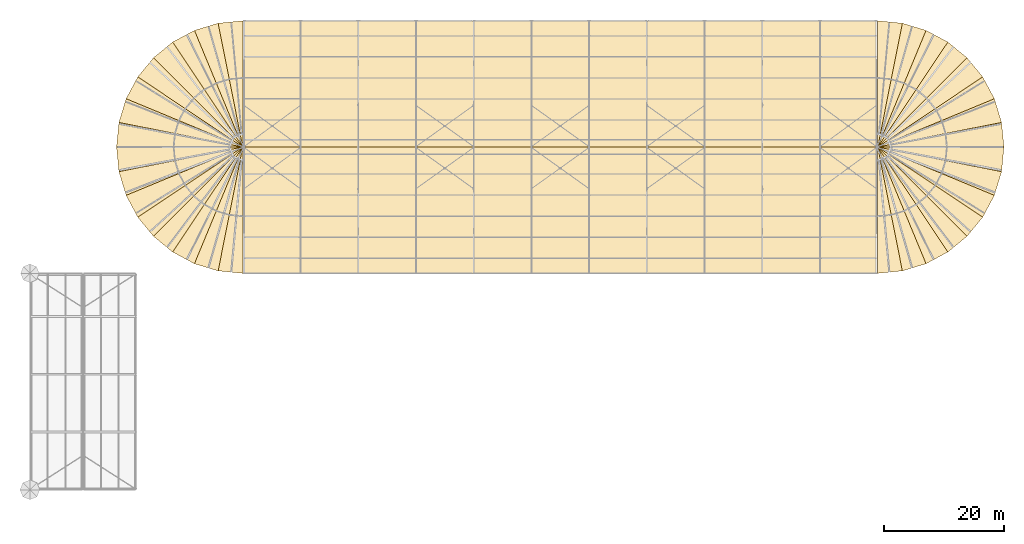
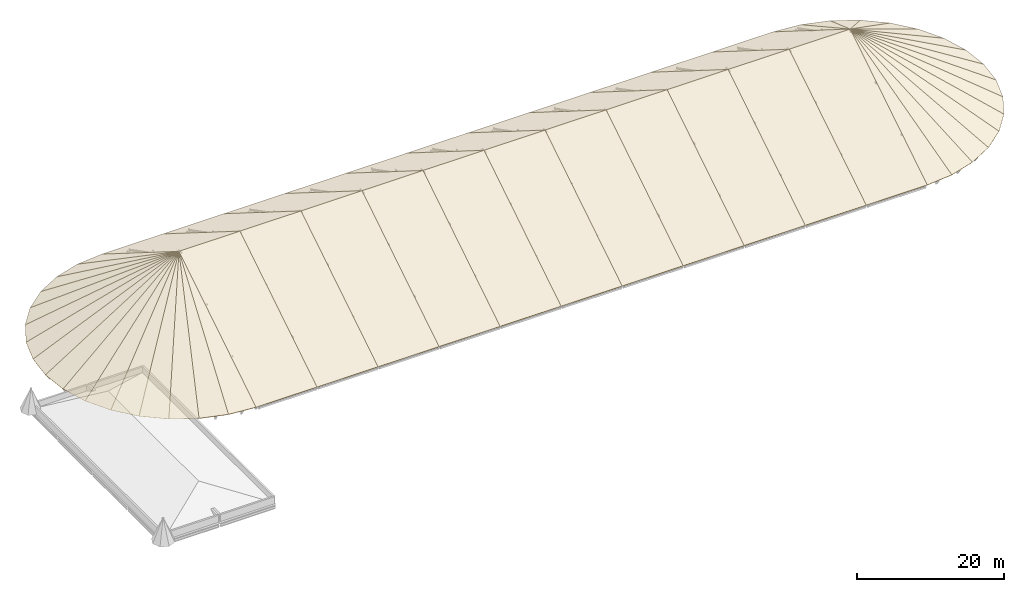
# One storey, part 66 of 66: 54 coverings.
"""IFC4 building model written with IfcOpenShell, lengths in metres."""

from ifc_helpers import new_model, si_unit, direction, frame, origin, place, context, subcontext, project, spatial, polyline, outline, extrude, material, layer, layer_set, type_object, element, save


model = new_model("IFC4")

# Units and contexts
model_context = context("Model", 3, precision=1e-05, world=origin(), true_north=direction((0.0, 1.0)))
body_context = subcontext(model_context, "Body", "Model", "MODEL_VIEW")
ifc_project = project(units=[si_unit("LENGTHUNIT", "METRE"), si_unit("AREAUNIT", "SQUARE_METRE"), si_unit("VOLUMEUNIT", "CUBIC_METRE"), si_unit("PLANEANGLEUNIT", "RADIAN"), si_unit("MASSUNIT", "GRAM", prefix="KILO")], contexts=[model_context])

# Site, building, storey
site_placement = place(None, origin())
site = spatial("IfcSite", under=ifc_project, at=site_placement, CompositionType="ELEMENT")
building_placement = place(site_placement, origin())
building = spatial("IfcBuilding", under=site, at=building_placement, Name="Yeouljin Market Hall", CompositionType="ELEMENT")
storey_placement = place(building_placement, frame((0.0, 0.0, 23.39990234375)))
storey = spatial("IfcBuildingStorey", under=building, at=storey_placement, Name="RF", CompositionType="ELEMENT", Elevation=23.39990234375)

# Coverings
ifc_material = material(Name="Patinated Copper Standing Seam")
ifc_layer = layer(ifc_material, 0.0400390625)
ifc_layer_set = layer_set([ifc_layer], Name="Patinated Copper Standing Seam")
covering_type = type_object("IfcCoveringType", Name="Covering_Copper_StandingSeam", PredefinedType="ROOFING", material=ifc_layer_set)
for number, where, z_axis, x_axis, name in (
    (1, (35.39990234375, 36.0, -12.0498046875), (0.0, -0.532170134168, 0.846637436155), (1.0, 0.0, 0.0), "Standing-seam copper roofing S01"),
    (2, (45.0, 78.0, -12.0498046875), (0.0, 0.532170134168, 0.846637436155), (-1.0, 0.0, 0.0), "Standing-seam copper roofing N01"),
    (3, (45.0, 36.0, -12.0498046875), (0.0, -0.532170134168, 0.846637436155), (1.0, 0.0, 0.0), "Standing-seam copper roofing S02"),
    (4, (54.60009765625, 78.0, -12.0498046875), (0.0, 0.532170134168, 0.846637436155), (-1.0, 0.0, 0.0), "Standing-seam copper roofing N02"),
):
    element("IfcCovering", number, at=place(storey_placement, frame(where, z_axis=z_axis, x_axis=x_axis)), inside=storey, type_object=covering_type, Name=name, PredefinedType="ROOFING", context=body_context, shape_type="SweptSolid", body=[
        extrude(outline(polyline([(0.0, 0.0), (9.60009765625, 0.0), (9.60009765625, 24.80400594540898), (0.0, 24.80400594540898), (0.0, 0.0)])), origin(), (0.0, 0.0, -1.0), 0.0400390625),
    ])
for number, where, z_axis, x_axis, name in (
    (5, (54.60009765625, 36.0, -12.0498046875), (0.0, -0.532170134168, 0.846637436155), (1.0, 0.0, 0.0), "Standing-seam copper roofing S03"),
    (6, (64.199951171875, 78.0, -12.0498046875), (0.0, 0.532170134168, 0.846637436155), (-1.0, 0.0, 0.0), "Standing-seam copper roofing N03"),
):
    element("IfcCovering", number, at=place(storey_placement, frame(where, z_axis=z_axis, x_axis=x_axis)), inside=storey, type_object=covering_type, Name=name, PredefinedType="ROOFING", context=body_context, shape_type="SweptSolid", body=[
        extrude(outline(polyline([(0.0, 0.0), (9.599853515625, 0.0), (9.599853515625, 24.80400594540898), (0.0, 24.80400594540898), (0.0, 0.0)])), origin(), (0.0, 0.0, -1.0), 0.0400390625),
    ])
for number, where, z_axis, x_axis, name in (
    (7, (64.199951171875, 36.0, -12.0498046875), (0.0, -0.532170134168, 0.846637436155), (1.0, 0.0, 0.0), "Standing-seam copper roofing S04"),
    (8, (73.800048828125, 78.0, -12.0498046875), (0.0, 0.532170134168, 0.846637436155), (-1.0, 0.0, 0.0), "Standing-seam copper roofing N04"),
):
    element("IfcCovering", number, at=place(storey_placement, frame(where, z_axis=z_axis, x_axis=x_axis)), inside=storey, type_object=covering_type, Name=name, PredefinedType="ROOFING", context=body_context, shape_type="SweptSolid", body=[
        extrude(outline(polyline([(0.0, 0.0), (9.60009765625, 0.0), (9.60009765625, 24.80400594540898), (0.0, 24.80400594540898), (0.0, 0.0)])), origin(), (0.0, 0.0, -1.0), 0.0400390625),
    ])
for number, where, z_axis, x_axis, name in (
    (9, (73.800048828125, 36.0, -12.0498046875), (0.0, -0.532170134168, 0.846637436155), (1.0, 0.0, 0.0), "Standing-seam copper roofing S05"),
    (10, (83.39990234375, 78.0, -12.0498046875), (0.0, 0.532170134168, 0.846637436155), (-1.0, 0.0, 0.0), "Standing-seam copper roofing N05"),
):
    element("IfcCovering", number, at=place(storey_placement, frame(where, z_axis=z_axis, x_axis=x_axis)), inside=storey, type_object=covering_type, Name=name, PredefinedType="ROOFING", context=body_context, shape_type="SweptSolid", body=[
        extrude(outline(polyline([(0.0, 0.0), (9.599853515625, 0.0), (9.599853515625, 24.80400594540898), (0.0, 24.80400594540898), (0.0, 0.0)])), origin(), (0.0, 0.0, -1.0), 0.0400390625),
    ])
for number, where, z_axis, x_axis, name in (
    (11, (83.39990234375, 36.0, -12.0498046875), (0.0, -0.532170134168, 0.846637436155), (1.0, 0.0, 0.0), "Standing-seam copper roofing S06"),
    (12, (93.0, 78.0, -12.0498046875), (0.0, 0.532170134168, 0.846637436155), (-1.0, 0.0, 0.0), "Standing-seam copper roofing N06"),
    (13, (93.0, 36.0, -12.0498046875), (0.0, -0.532170134168, 0.846637436155), (1.0, 0.0, 0.0), "Standing-seam copper roofing S07"),
    (14, (102.60009765625, 78.0, -12.0498046875), (0.0, 0.532170134168, 0.846637436155), (-1.0, 0.0, 0.0), "Standing-seam copper roofing N07"),
):
    element("IfcCovering", number, at=place(storey_placement, frame(where, z_axis=z_axis, x_axis=x_axis)), inside=storey, type_object=covering_type, Name=name, PredefinedType="ROOFING", context=body_context, shape_type="SweptSolid", body=[
        extrude(outline(polyline([(0.0, 0.0), (9.60009765625, 0.0), (9.60009765625, 24.80400594540898), (0.0, 24.80400594540898), (0.0, 0.0)])), origin(), (0.0, 0.0, -1.0), 0.0400390625),
    ])
for number, where, z_axis, x_axis, name in (
    (15, (102.60009765625, 36.0, -12.0498046875), (0.0, -0.532170134168, 0.846637436155), (1.0, 0.0, 0.0), "Standing-seam copper roofing S08"),
    (16, (112.199951171875, 78.0, -12.0498046875), (0.0, 0.532170134168, 0.846637436155), (-1.0, 0.0, 0.0), "Standing-seam copper roofing N08"),
):
    element("IfcCovering", number, at=place(storey_placement, frame(where, z_axis=z_axis, x_axis=x_axis)), inside=storey, type_object=covering_type, Name=name, PredefinedType="ROOFING", context=body_context, shape_type="SweptSolid", body=[
        extrude(outline(polyline([(0.0, 0.0), (9.599853515625, 0.0), (9.599853515625, 24.80400594540898), (0.0, 24.80400594540898), (0.0, 0.0)])), origin(), (0.0, 0.0, -1.0), 0.0400390625),
    ])
for number, where, z_axis, x_axis, name in (
    (17, (112.199951171875, 36.0, -12.0498046875), (0.0, -0.532170134168, 0.846637436155), (1.0, 0.0, 0.0), "Standing-seam copper roofing S09"),
    (18, (121.800048828125, 78.0, -12.0498046875), (0.0, 0.532170134168, 0.846637436155), (-1.0, 0.0, 0.0), "Standing-seam copper roofing N09"),
):
    element("IfcCovering", number, at=place(storey_placement, frame(where, z_axis=z_axis, x_axis=x_axis)), inside=storey, type_object=covering_type, Name=name, PredefinedType="ROOFING", context=body_context, shape_type="SweptSolid", body=[
        extrude(outline(polyline([(0.0, 0.0), (9.60009765625, 0.0), (9.60009765625, 24.80400594540898), (0.0, 24.80400594540898), (0.0, 0.0)])), origin(), (0.0, 0.0, -1.0), 0.0400390625),
    ])
for number, where, z_axis, x_axis, name in (
    (19, (121.800048828125, 36.0, -12.0498046875), (0.0, -0.532170134168, 0.846637436155), (1.0, 0.0, 0.0), "Standing-seam copper roofing S10"),
    (20, (131.39990234375, 78.0, -12.0498046875), (0.0, 0.532170134168, 0.846637436155), (-1.0, 0.0, 0.0), "Standing-seam copper roofing N10"),
):
    element("IfcCovering", number, at=place(storey_placement, frame(where, z_axis=z_axis, x_axis=x_axis)), inside=storey, type_object=covering_type, Name=name, PredefinedType="ROOFING", context=body_context, shape_type="SweptSolid", body=[
        extrude(outline(polyline([(0.0, 0.0), (9.599853515625, 0.0), (9.599853515625, 24.80400594540898), (0.0, 24.80400594540898), (0.0, 0.0)])), origin(), (0.0, 0.0, -1.0), 0.0400390625),
    ])
for number, where, z_axis, x_axis, name in (
    (21, (131.39990234375, 36.0, -12.0498046875), (0.0, -0.532170134168, 0.846637436155), (1.0, 0.0, 0.0), "Standing-seam copper roofing S11"),
    (22, (141.0, 78.0, -12.0498046875), (0.0, 0.532170134168, 0.846637436155), (-1.0, 0.0, 0.0), "Standing-seam copper roofing N11"),
):
    element("IfcCovering", number, at=place(storey_placement, frame(where, z_axis=z_axis, x_axis=x_axis)), inside=storey, type_object=covering_type, Name=name, PredefinedType="ROOFING", context=body_context, shape_type="SweptSolid", body=[
        extrude(outline(polyline([(0.0, 0.0), (9.60009765625, 0.0), (9.60009765625, 24.80400594540898), (0.0, 24.80400594540898), (0.0, 0.0)])), origin(), (0.0, 0.0, -1.0), 0.0400390625),
    ])
covering_1_placement = place(storey_placement, frame((35.39990234375, 57.0, 1.150146484375), z_axis=(-0.05234914823, -0.531440445525, 0.845476563566), x_axis=(-0.165172137479, -0.830368692814, -0.532171024197)))
element("IfcCovering", 23, at=covering_1_placement, inside=storey, type_object=covering_type, Name="Apse standing-seam copper covering west 01", PredefinedType="ROOFING", context=body_context, shape_type="SweptSolid", body=[
    extrude(outline(polyline([(0.0, 0.0), (24.803964461954838, -1.1102230246251565e-16), (24.46237408358386, 4.10255592706411), (0.0, 0.0)])), origin(), (0.0, 0.0, -1.0), 0.0400390625),
])
covering_2_placement = place(storey_placement, frame((35.39990234375, 57.0, 1.150146484375), z_axis=(-0.154991996346, -0.511023876795, 0.845477426318), x_axis=(-0.323993575473, -0.782192953468, -0.532167592585)))
element("IfcCovering", 24, at=covering_2_placement, inside=storey, type_object=covering_type, Name="Apse standing-seam copper covering west 02", PredefinedType="ROOFING", context=body_context, shape_type="SweptSolid", body=[
    extrude(outline(polyline([(0.0, 0.0), (24.804124407046327, -1.1102230246251565e-16), (24.462349988206533, 4.102448791199049), (0.0, 0.0)])), origin(), (0.0, 0.0, -1.0), 0.0400390625),
])
covering_3_placement = place(storey_placement, frame((35.39990234375, 57.0, 1.150146484375), z_axis=(-0.251737646446, -0.470951130997, 0.845478083438), x_axis=(-0.470366090897, -0.703954608289, -0.532168817203)))
element("IfcCovering", 25, at=covering_3_placement, inside=storey, type_object=covering_type, Name="Apse standing-seam copper covering west 03", PredefinedType="ROOFING", context=body_context, shape_type="SweptSolid", body=[
    extrude(outline(polyline([(0.0, 0.0), (24.804067328201974, -4.440892098500626e-16), (24.46249531735429, 4.1025492621845085), (0.0, 0.0)])), origin(), (0.0, 0.0, -1.0), 0.0400390625),
])
covering_4_placement = place(storey_placement, frame((35.39990234375, 57.0, 1.150146484375), z_axis=(-0.338798327878, -0.412777846846, 0.845476281264), x_axis=(-0.598661687203, -0.598661687203, -0.532173250502)))
element("IfcCovering", 26, at=covering_4_placement, inside=storey, type_object=covering_type, Name="Apse standing-seam copper covering west 04", PredefinedType="ROOFING", context=body_context, shape_type="SweptSolid", body=[
    extrude(outline(polyline([(0.0, 0.0), (24.803860696544533, 1.1102230246251565e-16), (24.46243645306138, 4.10255515525513), (0.0, 0.0)])), origin(), (0.0, 0.0, -1.0), 0.0400390625),
])
covering_5_placement = place(storey_placement, frame((35.39990234375, 57.0, 1.150146484375), z_axis=(-0.412794709572, -0.338780497797, 0.845475193049), x_axis=(-0.703949643075, -0.470369350009, -0.532172504539)))
element("IfcCovering", 27, at=covering_5_placement, inside=storey, type_object=covering_type, Name="Apse standing-seam copper covering west 05", PredefinedType="ROOFING", context=body_context, shape_type="SweptSolid", body=[
    extrude(outline(polyline([(0.0, 0.0), (24.80389546489004, 1.6653345369377348e-15), (24.46225600591535, 4.10238181482965), (0.0, 0.0)])), origin(), (0.0, 0.0, -1.0), 0.0400390625),
])
covering_6_placement = place(storey_placement, frame((35.39990234375, 57.0, 1.150146484375), z_axis=(-0.470954599358, -0.25173950039, 0.845475599463), x_axis=(-0.782189132725, -0.323996069888, -0.532171689724)))
element("IfcCovering", 28, at=covering_6_placement, inside=storey, type_object=covering_type, Name="Apse standing-seam copper covering west 06", PredefinedType="ROOFING", context=body_context, shape_type="SweptSolid", body=[
    extrude(outline(polyline([(0.0, 0.0), (24.803933442436193, -8.881784197001252e-16), (24.46226453112838, 4.102541193247291), (0.0, 0.0)])), origin(), (0.0, 0.0, -1.0), 0.0400390625),
])
covering_7_placement = place(storey_placement, frame((35.39990234375, 57.0, 1.150146484375), z_axis=(-0.511017121334, -0.155021616815, 0.845476078918), x_axis=(-0.830368692814, -0.165172137479, -0.532171024197)))
element("IfcCovering", 29, at=covering_7_placement, inside=storey, type_object=covering_type, Name="Apse standing-seam copper covering west 07", PredefinedType="ROOFING", context=body_context, shape_type="SweptSolid", body=[
    extrude(outline(polyline([(0.0, 0.0), (24.803964461954838, 1.1102230246251565e-15), (24.462305003710522, 4.102529478534399), (0.0, 0.0)])), origin(), (0.0, 0.0, -1.0), 0.0400390625),
])
covering_8_placement = place(storey_placement, frame((35.39990234375, 57.0, 1.150146484375), z_axis=(-0.531440445525, -0.05234914823, 0.845476563566), x_axis=(-0.846637436155, 0.0, -0.532170134168)))
element("IfcCovering", 30, at=covering_8_placement, inside=storey, type_object=covering_type, Name="Apse standing-seam copper covering west 08", PredefinedType="ROOFING", context=body_context, shape_type="SweptSolid", body=[
    extrude(outline(polyline([(0.0, 0.0), (24.80400594540898, 0.0), (24.46233317149185, 4.102549065745376), (0.0, 0.0)])), origin(), (0.0, 0.0, -1.0), 0.0400390625),
])
covering_9_placement = place(storey_placement, frame((35.39990234375, 57.0, 1.150146484375), z_axis=(-0.531440445525, 0.05234914823, 0.845476563566), x_axis=(-0.830368692814, 0.165172137479, -0.532171024197)))
element("IfcCovering", 31, at=covering_9_placement, inside=storey, type_object=covering_type, Name="Apse standing-seam copper covering west 09", PredefinedType="ROOFING", context=body_context, shape_type="SweptSolid", body=[
    extrude(outline(polyline([(0.0, 0.0), (24.803964461954838, -1.1102230246251565e-16), (24.46237408358386, 4.10255592706411), (0.0, 0.0)])), origin(), (0.0, 0.0, -1.0), 0.0400390625),
])
covering_10_placement = place(storey_placement, frame((35.39990234375, 57.0, 1.150146484375), z_axis=(-0.511017121334, 0.155021616815, 0.845476078918), x_axis=(-0.782189132725, 0.323996069888, -0.532171689724)))
element("IfcCovering", 32, at=covering_10_placement, inside=storey, type_object=covering_type, Name="Apse standing-seam copper covering west 10", PredefinedType="ROOFING", context=body_context, shape_type="SweptSolid", body=[
    extrude(outline(polyline([(0.0, 0.0), (24.803933442436193, 5.551115123125783e-16), (24.46233559599251, 4.102534609111368), (0.0, 0.0)])), origin(), (0.0, 0.0, -1.0), 0.0400390625),
])
covering_11_placement = place(storey_placement, frame((35.39990234375, 57.0, 1.150146484375), z_axis=(-0.470954599358, 0.25173950039, 0.845475599463), x_axis=(-0.703949643075, 0.470369350009, -0.532172504539)))
element("IfcCovering", 33, at=covering_11_placement, inside=storey, type_object=covering_type, Name="Apse standing-seam copper covering west 11", PredefinedType="ROOFING", context=body_context, shape_type="SweptSolid", body=[
    extrude(outline(polyline([(0.0, 0.0), (24.80389546489004, 1.9984014443252818e-15), (24.462301985599257, 4.102547474698032), (0.0, 0.0)])), origin(), (0.0, 0.0, -1.0), 0.0400390625),
])
covering_12_placement = place(storey_placement, frame((35.39990234375, 57.0, 1.150146484375), z_axis=(-0.412794709572, 0.338780497797, 0.845475193049), x_axis=(-0.598661687203, 0.598661687203, -0.532173250502)))
element("IfcCovering", 34, at=covering_12_placement, inside=storey, type_object=covering_type, Name="Apse standing-seam copper covering west 12", PredefinedType="ROOFING", context=body_context, shape_type="SweptSolid", body=[
    extrude(outline(polyline([(0.0, 0.0), (24.803860696544533, 2.220446049250313e-16), (24.462290295422896, 4.1023875652662465), (0.0, 0.0)])), origin(), (0.0, 0.0, -1.0), 0.0400390625),
])
covering_13_placement = place(storey_placement, frame((35.39990234375, 57.0, 1.150146484375), z_axis=(-0.338798327878, 0.412777846846, 0.845476281264), x_axis=(-0.470366090897, 0.703954608289, -0.532168817203)))
element("IfcCovering", 35, at=covering_13_placement, inside=storey, type_object=covering_type, Name="Apse standing-seam copper covering west 13", PredefinedType="ROOFING", context=body_context, shape_type="SweptSolid", body=[
    extrude(outline(polyline([(0.0, 0.0), (24.804067328201974, 1.7763568394002505e-15), (24.46223266737887, 4.102520978692061), (0.0, 0.0)])), origin(), (0.0, 0.0, -1.0), 0.0400390625),
])
covering_14_placement = place(storey_placement, frame((35.39990234375, 57.0, 1.150146484375), z_axis=(-0.251737646446, 0.470951130997, 0.845478083438), x_axis=(-0.323993575473, 0.782192953468, -0.532167592585)))
element("IfcCovering", 36, at=covering_14_placement, inside=storey, type_object=covering_type, Name="Apse standing-seam copper covering west 14", PredefinedType="ROOFING", context=body_context, shape_type="SweptSolid", body=[
    extrude(outline(polyline([(0.0, 0.0), (24.804124407046327, -1.1102230246251565e-16), (24.462439024661197, 4.1025398214654185), (0.0, 0.0)])), origin(), (0.0, 0.0, -1.0), 0.0400390625),
])
covering_15_placement = place(storey_placement, frame((35.39990234375, 57.0, 1.150146484375), z_axis=(-0.154991996346, 0.511023876795, 0.845477426318), x_axis=(-0.165172137479, 0.830368692814, -0.532171024197)))
element("IfcCovering", 37, at=covering_15_placement, inside=storey, type_object=covering_type, Name="Apse standing-seam copper covering west 15", PredefinedType="ROOFING", context=body_context, shape_type="SweptSolid", body=[
    extrude(outline(polyline([(0.0, 0.0), (24.803964461954838, -4.440892098500626e-16), (24.462507730442166, 4.102475245298683), (0.0, 0.0)])), origin(), (0.0, 0.0, -1.0), 0.0400390625),
])
for number, where, z_axis, x_axis, name in (
    (38, (35.39990234375, 57.0, 1.150146484375), (-0.05234914823, 0.531440445525, 0.845476563566), (0.0, 0.846637436155, -0.532170134168), "Apse standing-seam copper covering west 16"),
    (39, (141.0, 57.0, 1.150146484375), (0.05234914823, -0.531440445525, 0.845476563566), (0.0, -0.846637436155, -0.532170134168), "Apse standing-seam copper covering east 01"),
):
    element("IfcCovering", number, at=place(storey_placement, frame(where, z_axis=z_axis, x_axis=x_axis)), inside=storey, type_object=covering_type, Name=name, PredefinedType="ROOFING", context=body_context, shape_type="SweptSolid", body=[
        extrude(outline(polyline([(0.0, 0.0), (24.80400594540898, 0.0), (24.46233317149185, 4.102549065745376), (0.0, 0.0)])), origin(), (0.0, 0.0, -1.0), 0.0400390625),
    ])
covering_16_placement = place(storey_placement, frame((141.0, 57.0, 1.150146484375), z_axis=(0.154991996346, -0.511023876795, 0.845477426318), x_axis=(0.165172137479, -0.830368692814, -0.532171024197)))
element("IfcCovering", 40, at=covering_16_placement, inside=storey, type_object=covering_type, Name="Apse standing-seam copper covering east 02", PredefinedType="ROOFING", context=body_context, shape_type="SweptSolid", body=[
    extrude(outline(polyline([(0.0, 0.0), (24.803964461954838, -4.440892098500626e-16), (24.462507730442166, 4.102475245298683), (0.0, 0.0)])), origin(), (0.0, 0.0, -1.0), 0.0400390625),
])
covering_17_placement = place(storey_placement, frame((141.0, 57.0, 1.150146484375), z_axis=(0.251737646446, -0.470951130997, 0.845478083438), x_axis=(0.323993575473, -0.782192953468, -0.532167592585)))
element("IfcCovering", 41, at=covering_17_placement, inside=storey, type_object=covering_type, Name="Apse standing-seam copper covering east 03", PredefinedType="ROOFING", context=body_context, shape_type="SweptSolid", body=[
    extrude(outline(polyline([(0.0, 0.0), (24.804124407046327, -1.1102230246251565e-16), (24.462439024661197, 4.1025398214654185), (0.0, 0.0)])), origin(), (0.0, 0.0, -1.0), 0.0400390625),
])
covering_18_placement = place(storey_placement, frame((141.0, 57.0, 1.150146484375), z_axis=(0.338798327878, -0.412777846846, 0.845476281264), x_axis=(0.470366090897, -0.703954608289, -0.532168817203)))
element("IfcCovering", 42, at=covering_18_placement, inside=storey, type_object=covering_type, Name="Apse standing-seam copper covering east 04", PredefinedType="ROOFING", context=body_context, shape_type="SweptSolid", body=[
    extrude(outline(polyline([(0.0, 0.0), (24.804067328201974, 1.7763568394002505e-15), (24.46223266737887, 4.102520978692061), (0.0, 0.0)])), origin(), (0.0, 0.0, -1.0), 0.0400390625),
])
covering_19_placement = place(storey_placement, frame((141.0, 57.0, 1.150146484375), z_axis=(0.412777846846, -0.338798327878, 0.845476281264), x_axis=(0.598661687203, -0.598661687203, -0.532173250502)))
element("IfcCovering", 43, at=covering_19_placement, inside=storey, type_object=covering_type, Name="Apse standing-seam copper covering east 05", PredefinedType="ROOFING", context=body_context, shape_type="SweptSolid", body=[
    extrude(outline(polyline([(0.0, 0.0), (24.803860696544533, 1.1102230246251565e-16), (24.46243645306138, 4.10255515525513), (0.0, 0.0)])), origin(), (0.0, 0.0, -1.0), 0.0400390625),
])
covering_20_placement = place(storey_placement, frame((141.0, 57.0, 1.150146484375), z_axis=(0.470951130997, -0.251737646446, 0.845478083438), x_axis=(0.703954608289, -0.470366090897, -0.532168817203)))
element("IfcCovering", 44, at=covering_20_placement, inside=storey, type_object=covering_type, Name="Apse standing-seam copper covering east 06", PredefinedType="ROOFING", context=body_context, shape_type="SweptSolid", body=[
    extrude(outline(polyline([(0.0, 0.0), (24.804067328201974, -4.440892098500626e-16), (24.46249531735429, 4.1025492621845085), (0.0, 0.0)])), origin(), (0.0, 0.0, -1.0), 0.0400390625),
])
covering_21_placement = place(storey_placement, frame((141.0, 57.0, 1.150146484375), z_axis=(0.511023876795, -0.154991996346, 0.845477426318), x_axis=(0.782192953468, -0.323993575473, -0.532167592585)))
element("IfcCovering", 45, at=covering_21_placement, inside=storey, type_object=covering_type, Name="Apse standing-seam copper covering east 07", PredefinedType="ROOFING", context=body_context, shape_type="SweptSolid", body=[
    extrude(outline(polyline([(0.0, 0.0), (24.804124407046327, -1.1102230246251565e-16), (24.462349988206533, 4.102448791199049), (0.0, 0.0)])), origin(), (0.0, 0.0, -1.0), 0.0400390625),
])
covering_22_placement = place(storey_placement, frame((141.0, 57.0, 1.150146484375), z_axis=(0.531440445525, -0.05234914823, 0.845476563566), x_axis=(0.830368692814, -0.165172137479, -0.532171024197)))
element("IfcCovering", 46, at=covering_22_placement, inside=storey, type_object=covering_type, Name="Apse standing-seam copper covering east 08", PredefinedType="ROOFING", context=body_context, shape_type="SweptSolid", body=[
    extrude(outline(polyline([(0.0, 0.0), (24.803964461954838, -1.1102230246251565e-16), (24.46237408358386, 4.10255592706411), (0.0, 0.0)])), origin(), (0.0, 0.0, -1.0), 0.0400390625),
])
covering_23_placement = place(storey_placement, frame((141.0, 57.0, 1.150146484375), z_axis=(0.531440445525, 0.05234914823, 0.845476563566), x_axis=(0.846637436155, 0.0, -0.532170134168)))
element("IfcCovering", 47, at=covering_23_placement, inside=storey, type_object=covering_type, Name="Apse standing-seam copper covering east 09", PredefinedType="ROOFING", context=body_context, shape_type="SweptSolid", body=[
    extrude(outline(polyline([(0.0, 0.0), (24.80400594540898, 0.0), (24.46233317149185, 4.102549065745376), (0.0, 0.0)])), origin(), (0.0, 0.0, -1.0), 0.0400390625),
])
covering_24_placement = place(storey_placement, frame((141.0, 57.0, 1.150146484375), z_axis=(0.511023876795, 0.154991996346, 0.845477426318), x_axis=(0.830368692814, 0.165172137479, -0.532171024197)))
element("IfcCovering", 48, at=covering_24_placement, inside=storey, type_object=covering_type, Name="Apse standing-seam copper covering east 10", PredefinedType="ROOFING", context=body_context, shape_type="SweptSolid", body=[
    extrude(outline(polyline([(0.0, 0.0), (24.803964461954838, -4.440892098500626e-16), (24.462507730442166, 4.102475245298683), (0.0, 0.0)])), origin(), (0.0, 0.0, -1.0), 0.0400390625),
])
covering_25_placement = place(storey_placement, frame((141.0, 57.0, 1.150146484375), z_axis=(0.470951130997, 0.251737646446, 0.845478083438), x_axis=(0.782192953468, 0.323993575473, -0.532167592585)))
element("IfcCovering", 49, at=covering_25_placement, inside=storey, type_object=covering_type, Name="Apse standing-seam copper covering east 11", PredefinedType="ROOFING", context=body_context, shape_type="SweptSolid", body=[
    extrude(outline(polyline([(0.0, 0.0), (24.804124407046327, -1.1102230246251565e-16), (24.462439024661197, 4.1025398214654185), (0.0, 0.0)])), origin(), (0.0, 0.0, -1.0), 0.0400390625),
])
covering_26_placement = place(storey_placement, frame((141.0, 57.0, 1.150146484375), z_axis=(0.412777846846, 0.338798327878, 0.845476281264), x_axis=(0.703954608289, 0.470366090897, -0.532168817203)))
element("IfcCovering", 50, at=covering_26_placement, inside=storey, type_object=covering_type, Name="Apse standing-seam copper covering east 12", PredefinedType="ROOFING", context=body_context, shape_type="SweptSolid", body=[
    extrude(outline(polyline([(0.0, 0.0), (24.804067328201974, 1.7763568394002505e-15), (24.46223266737887, 4.102520978692061), (0.0, 0.0)])), origin(), (0.0, 0.0, -1.0), 0.0400390625),
])
covering_27_placement = place(storey_placement, frame((141.0, 57.0, 1.150146484375), z_axis=(0.338798327878, 0.412777846846, 0.845476281264), x_axis=(0.598661687203, 0.598661687203, -0.532173250502)))
element("IfcCovering", 51, at=covering_27_placement, inside=storey, type_object=covering_type, Name="Apse standing-seam copper covering east 13", PredefinedType="ROOFING", context=body_context, shape_type="SweptSolid", body=[
    extrude(outline(polyline([(0.0, 0.0), (24.803860696544533, 1.1102230246251565e-16), (24.46243645306138, 4.10255515525513), (0.0, 0.0)])), origin(), (0.0, 0.0, -1.0), 0.0400390625),
])
covering_28_placement = place(storey_placement, frame((141.0, 57.0, 1.150146484375), z_axis=(0.251737646446, 0.470951130997, 0.845478083438), x_axis=(0.470366090897, 0.703954608289, -0.532168817203)))
element("IfcCovering", 52, at=covering_28_placement, inside=storey, type_object=covering_type, Name="Apse standing-seam copper covering east 14", PredefinedType="ROOFING", context=body_context, shape_type="SweptSolid", body=[
    extrude(outline(polyline([(0.0, 0.0), (24.804067328201974, -4.440892098500626e-16), (24.46249531735429, 4.1025492621845085), (0.0, 0.0)])), origin(), (0.0, 0.0, -1.0), 0.0400390625),
])
covering_29_placement = place(storey_placement, frame((141.0, 57.0, 1.150146484375), z_axis=(0.154991996346, 0.511023876795, 0.845477426318), x_axis=(0.323993575473, 0.782192953468, -0.532167592585)))
element("IfcCovering", 53, at=covering_29_placement, inside=storey, type_object=covering_type, Name="Apse standing-seam copper covering east 15", PredefinedType="ROOFING", context=body_context, shape_type="SweptSolid", body=[
    extrude(outline(polyline([(0.0, 0.0), (24.804124407046327, -1.1102230246251565e-16), (24.462349988206533, 4.102448791199049), (0.0, 0.0)])), origin(), (0.0, 0.0, -1.0), 0.0400390625),
])
covering_30_placement = place(storey_placement, frame((141.0, 57.0, 1.150146484375), z_axis=(0.05234914823, 0.531440445525, 0.845476563566), x_axis=(0.165172137479, 0.830368692814, -0.532171024197)))
element("IfcCovering", 54, at=covering_30_placement, inside=storey, type_object=covering_type, Name="Apse standing-seam copper covering east 16", PredefinedType="ROOFING", context=body_context, shape_type="SweptSolid", body=[
    extrude(outline(polyline([(0.0, 0.0), (24.803964461954838, -1.1102230246251565e-16), (24.46237408358386, 4.10255592706411), (0.0, 0.0)])), origin(), (0.0, 0.0, -1.0), 0.0400390625),
])

save(model, "model.ifc")
